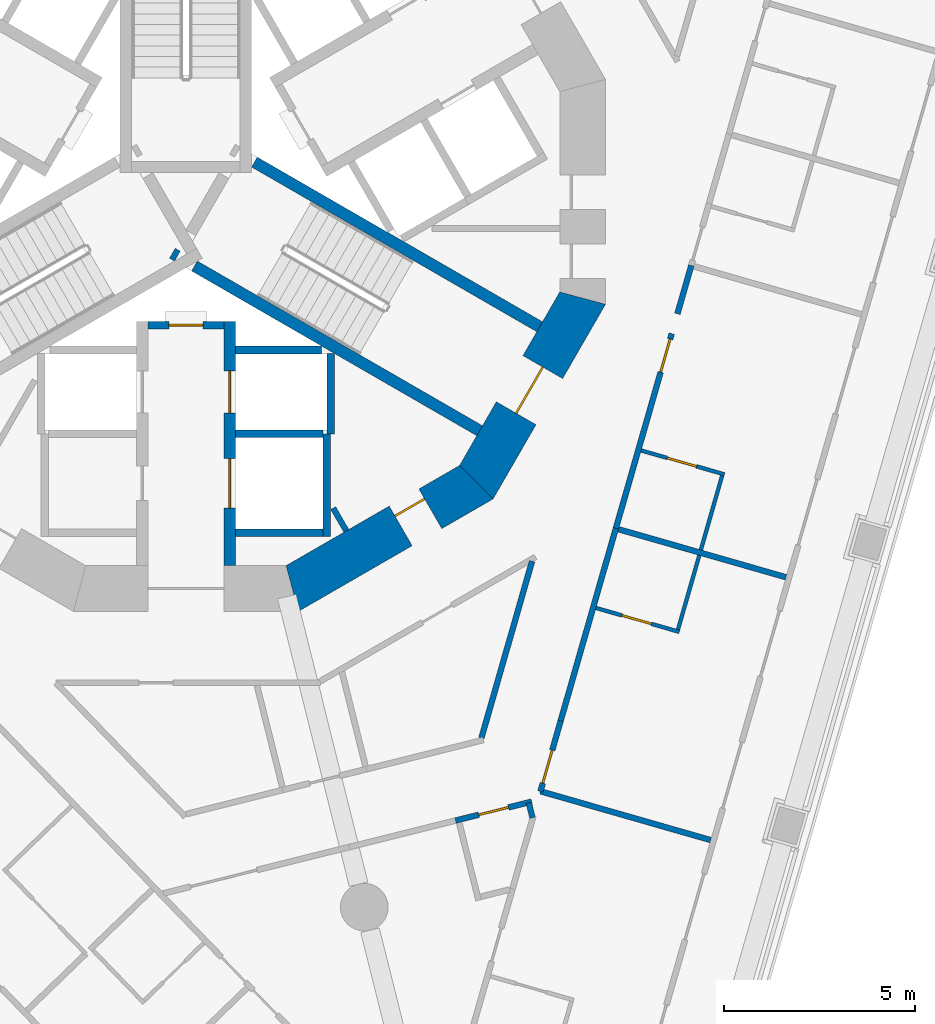
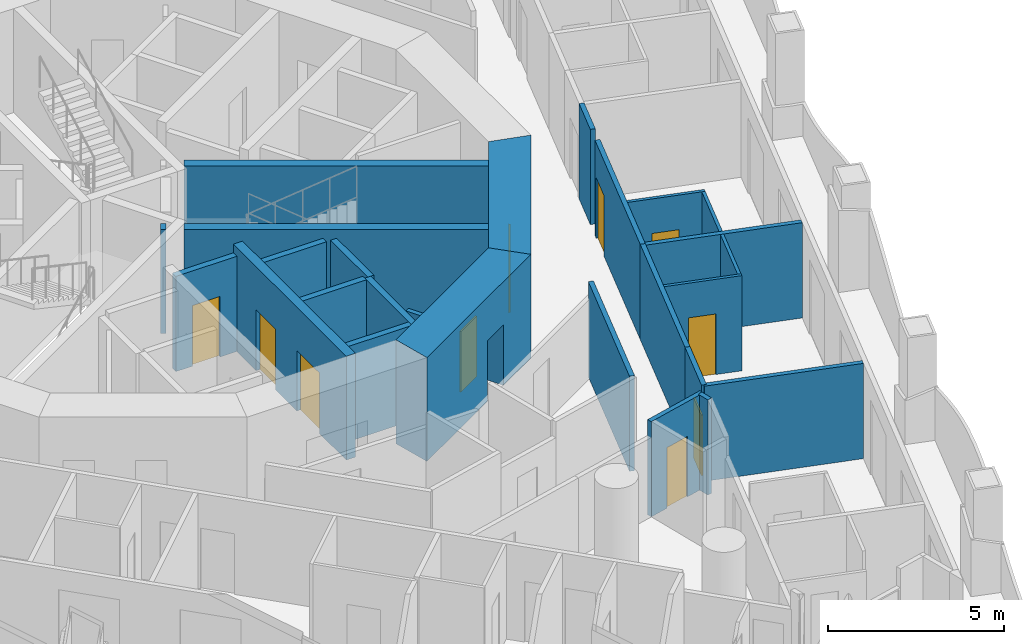
# One storey, part 5 of 20: 26 walls, 10 doors, 10 openings.
"""IFC4 building model written with IfcOpenShell, lengths in metres."""

from ifc_helpers import new_model, si_unit, direction, frame, frame_2d, origin, place, context, subcontext, project, spatial, polyline, rectangle, outline, extrude, material, layer, layer_set, type_object, element, fill, save


model = new_model("IFC4")

# Units and contexts
model_context = context("Model", 3, precision=1e-05, world=origin(), true_north=direction((0.0, 1.0)))
body_context = subcontext(model_context, "Body", "Model", "MODEL_VIEW")
ifc_project = project(units=[si_unit("LENGTHUNIT", "METRE"), si_unit("AREAUNIT", "SQUARE_METRE"), si_unit("VOLUMEUNIT", "CUBIC_METRE"), si_unit("PLANEANGLEUNIT", "RADIAN"), si_unit("MASSUNIT", "GRAM", prefix="KILO")], contexts=[model_context])

# Site, building, storey
site_placement = place(None, origin())
site = spatial("IfcSite", under=ifc_project, at=site_placement, CompositionType="ELEMENT")
building_placement = place(site_placement, origin())
building = spatial("IfcBuilding", under=site, at=building_placement, Name="Trine Commons Tower", CompositionType="ELEMENT")
storey_placement = place(building_placement, frame((0.0, 0.0, 112.5)))
storey = spatial("IfcBuildingStorey", under=building, at=storey_placement, Name="L28", CompositionType="ELEMENT", Elevation=112.5)

# Wall
ifc_material_1 = material(Name="Plasterboard partition on steel studs", Category="steel")
ifc_layer_1 = layer(ifc_material_1, 0.14990234375)
ifc_layer_set_1 = layer_set([ifc_layer_1], Name="Plasterboard partition on steel studs")
wall_type_1 = type_object("IfcWallType", Name="Core room partition 150 mm, EI 60", PredefinedType="PARTITIONING", material=ifc_layer_set_1)
wall_1_placement = place(storey_placement, frame((84.2099609375, 53.60205078125, 0.0), z_axis=(0.0, 0.0, 1.0), x_axis=(-0.500366091518, 0.865813937552, 0.0)))
element("IfcWall", 1, at=wall_1_placement, inside=storey, type_object=wall_type_1, Name="Core room partition L28", PredefinedType="PARTITIONING", context=body_context, shape_type="SweptSolid", body=[
    extrude(rectangle(XDim=0.689453125, YDim=0.14990234375, at=frame_2d((0.3447265625, 0.0))), origin(), (0.0, 0.0, 1.0), 3.300048828125),
])

# Wall, opening, door
ifc_material_2 = material(Name="Fire-rated gypsum shaft wall system")
ifc_layer_2 = layer(ifc_material_2, 0.199951171875)
ifc_layer_set_2 = layer_set([ifc_layer_2], Name="Fire-rated gypsum shaft wall system")
wall_type_2 = type_object("IfcWallType", Name="Lobby end wall 200 mm, EI 120", PredefinedType="PARTITIONING", material=ifc_layer_set_2)
wall_2_placement = place(storey_placement, frame((79.0, 59.0, 0.0), z_axis=(0.0, 0.0, 1.0), x_axis=(1.0, 0.0, 0.0)))
wall_2 = element("IfcWall", 2, at=wall_2_placement, inside=storey, type_object=wall_type_2, Name="Lobby end wall L28", PredefinedType="PARTITIONING", context=body_context, shape_type="SweptSolid", body=[
    extrude(rectangle(XDim=2.0, YDim=0.199951171875, at=frame_2d((1.0, 0.0))), origin(), (0.0, 0.0, 1.0), 3.300048828125),
])
opening_1_placement = place(wall_2_placement, frame((0.550048828125, 0.0, 0.0)))
opening_1 = element("IfcOpeningElement", 3, at=opening_1_placement, cuts=wall_2, Name="Opening K07.09", PredefinedType="OPENING", context=body_context, shape_type="SweptSolid", body=[
    extrude(rectangle(XDim=0.89990234375, YDim=2.10009765625, at=frame_2d((0.449951171875, 1.050048828125))), frame((0.0, 0.10986328125, 0.0), z_axis=(0.0, -1.0, 0.0), x_axis=(1.0, 0.0, 0.0)), (0.0, 0.0, 1.0), 0.219970703125),
])
ifc_material_3 = material(Name="Steel door leaf, fire-rated", Category="steel")
door_type_1 = type_object("IfcDoorType", Name="Riser access door, single leaf 900 x 2100, FD60", OperationType="SINGLE_SWING_LEFT", PredefinedType="DOOR", material=ifc_material_3)
door_1_placement = place(opening_1_placement, frame((0.89990234375, 0.0, 0.0), z_axis=(0.0, 0.0, 1.0), x_axis=(-1.0, 0.0, 0.0)))
door_1 = element("IfcDoor", 4, at=door_1_placement, inside=storey, type_object=door_type_1, Name="Riser door, Communications riser L28", OperationType="SINGLE_SWING_RIGHT", OverallHeight=2.10009765625, OverallWidth=0.89990234375, PredefinedType="DOOR", context=body_context, shape_type="SweptSolid", body=[
    extrude(rectangle(XDim=0.89990234375, YDim=2.10009765625, at=frame_2d((0.449951171875, 1.050048828125))), frame((0.0, 0.02490234375, 0.0), z_axis=(0.0, -1.0, 0.0), x_axis=(1.0, 0.0, 0.0)), (0.0, 0.0, 1.0), 0.050048828125),
])
fill(opening_1, door_1)

ifc_material_4 = material(Name="Concrete C70/85", Category="concrete")
ifc_layer_3 = layer(ifc_material_4, 1.199951171875)
ifc_layer_set_3 = layer_set([ifc_layer_3], Name="Concrete C70/85")
wall_type_3 = type_object("IfcWallType", Name="RC shear wall 1200 mm, C70/85", PredefinedType="SHEAR", material=ifc_layer_set_3)
wall_3_placement = place(storey_placement, frame((82.650390625, 52.008056640625, 0.0), z_axis=(0.0, 0.0, 1.0), x_axis=(0.866037463336, 0.499979111662, 0.0)))
wall_3 = element("IfcWall", 5, at=wall_3_placement, inside=storey, type_object=wall_type_3, Name="Core wall CWC-11 L28", PredefinedType="SHEAR", context=body_context, shape_type="SweptSolid", body=[
    extrude(outline(polyline([(0.0, -0.60009765625), (5.901123046875, -0.60009765625), (5.57958984375, 0.60009765625), (0.321533203125, 0.60009765625), (0.0, -0.60009765625)])), origin(), (0.0, 0.0, 1.0), 3.60009765625),
])
opening_2_placement = place(wall_3_placement, frame((3.44677734375, 0.0, 0.0)))
opening_2 = element("IfcOpeningElement", 6, at=opening_2_placement, cuts=wall_3, Name="Opening K07.17", PredefinedType="OPENING", context=body_context, shape_type="SweptSolid", body=[
    extrude(rectangle(XDim=0.89990234375, YDim=2.10009765625, at=frame_2d((0.449951171875, 1.050048828125))), frame((0.0, 0.60986328125, 0.0), z_axis=(0.0, -1.0, 0.0), x_axis=(1.0, 0.0, 0.0)), (0.0, 0.0, 1.0), 1.219970703125),
])
door_type_2 = type_object("IfcDoorType", Name="Core room door, single leaf 900 x 2100, FD30S", OperationType="SINGLE_SWING_LEFT", PredefinedType="DOOR", material=ifc_material_3)
door_2_placement = place(opening_2_placement, origin())
door_2 = element("IfcDoor", 7, at=door_2_placement, inside=storey, type_object=door_type_2, Name="Door to Pantry L28", OperationType="SINGLE_SWING_RIGHT", OverallHeight=2.10009765625, OverallWidth=0.89990234375, PredefinedType="DOOR", context=body_context, shape_type="SweptSolid", body=[
    extrude(rectangle(XDim=0.89990234375, YDim=2.10009765625, at=frame_2d((0.449951171875, 1.050048828125))), frame((0.0, 0.3251953125, 0.0), z_axis=(0.0, -1.0, 0.0), x_axis=(1.0, 0.0, 0.0)), (0.0, 0.0, 1.0), 0.050048828125),
])
fill(opening_2, door_2)

wall_4_placement = place(storey_placement, frame((87.54150390625, 54.739013671875, 0.0), z_axis=(0.0, 0.0, 1.0), x_axis=(0.499979111662, 0.866037463336, 0.0)))
wall_4 = element("IfcWall", 8, at=wall_4_placement, inside=storey, type_object=wall_type_3, Name="Core wall CWC-12 L28", PredefinedType="SHEAR", context=body_context, shape_type="SweptSolid", body=[
    extrude(outline(polyline([(0.0, -0.60009765625), (5.901123046875, -0.60009765625), (5.57958984375, 0.60009765625), (0.321533203125, 0.60009765625), (0.0, -0.60009765625)])), origin(), (0.0, 0.0, 1.0), 3.60009765625),
])
opening_3_placement = place(wall_4_placement, frame((2.25048828125, 0.0, 0.0)))
opening_3 = element("IfcOpeningElement", 9, at=opening_3_placement, cuts=wall_4, Name="Opening K07.03", PredefinedType="OPENING", context=body_context, shape_type="SweptSolid", body=[
    extrude(rectangle(XDim=1.39990234375, YDim=2.10009765625, at=frame_2d((0.699951171875, 1.050048828125))), frame((0.0, 0.60986328125, 0.0), z_axis=(0.0, -1.0, 0.0), x_axis=(1.0, 0.0, 0.0)), (0.0, 0.0, 1.0), 1.219970703125),
])
ifc_material_5 = material(Name="Steel door leaves, fire-rated", Category="steel")
door_type_3 = type_object("IfcDoorType", Name="Stair door, double leaf 1400 x 2100, FD90", OperationType="DOUBLE_DOOR_SINGLE_SWING", PredefinedType="DOOR", material=ifc_material_5)
door_3_placement = place(opening_3_placement, origin())
door_3 = element("IfcDoor", 10, at=door_3_placement, inside=storey, type_object=door_type_3, Name="Stair door to Exit stair ST3A L28", OperationType="DOUBLE_DOOR_SINGLE_SWING", OverallHeight=2.10009765625, OverallWidth=1.39990234375, PredefinedType="DOOR", context=body_context, shape_type="SweptSolid", body=[
    extrude(rectangle(XDim=1.39990234375, YDim=2.10009765625, at=frame_2d((0.699951171875, 1.050048828125))), frame((0.0, 0.02490234375, 0.0), z_axis=(0.0, -1.0, 0.0), x_axis=(1.0, 0.0, 0.0)), (0.0, 0.0, 1.0), 0.050048828125),
])
fill(opening_3, door_3)

# Wall, openings, doors
ifc_layer_4 = layer(ifc_material_4, 0.300048828125)
ifc_layer_set_4 = layer_set([ifc_layer_4], Name="Concrete C70/85")
wall_type_4 = type_object("IfcWallType", Name="RC shear wall 300 mm, C70/85", PredefinedType="SHEAR", material=ifc_layer_set_4)
wall_5_placement = place(storey_placement, frame((81.14990234375, 59.10009765625, 0.0), z_axis=(0.0, 0.0, 1.0), x_axis=(0.0, -1.0, 0.0)))
wall_5 = element("IfcWall", 11, at=wall_5_placement, inside=storey, type_object=wall_type_4, Name="Core cross wall SWA-04 L28", PredefinedType="SHEAR", context=body_context, shape_type="SweptSolid", body=[
    extrude(rectangle(XDim=6.412109375, YDim=0.300048828125, at=frame_2d((3.2060546875, 0.0))), origin(), (0.0, 0.0, 1.0), 3.60009765625),
])
opening_4_placement = place(wall_5_placement, frame((3.60009765625, 0.0, 0.0)))
opening_4 = element("IfcOpeningElement", 12, at=opening_4_placement, cuts=wall_5, Name="Opening LD11", PredefinedType="OPENING", context=body_context, shape_type="SweptSolid", body=[
    extrude(rectangle(XDim=1.300048828125, YDim=2.10009765625, at=frame_2d((0.64990234375, 1.050048828125))), frame((0.0, 0.159912109375, 0.0), z_axis=(0.0, -1.0, 0.0), x_axis=(1.0, 0.0, 0.0)), (0.0, 0.0, 1.0), 0.320068359375),
])
opening_5_placement = place(wall_5_placement, frame((1.300048828125, 0.0, 0.0)))
opening_5 = element("IfcOpeningElement", 13, at=opening_5_placement, cuts=wall_5, Name="Opening LD9", PredefinedType="OPENING", context=body_context, shape_type="SweptSolid", body=[
    extrude(rectangle(XDim=1.10009765625, YDim=2.10009765625, at=frame_2d((0.550048828125, 1.050048828125))), frame((0.0, 0.159912109375, 0.0), z_axis=(0.0, -1.0, 0.0), x_axis=(1.0, 0.0, 0.0)), (0.0, 0.0, 1.0), 0.320068359375),
])
ifc_material_6 = material(Name="Stainless steel sliding door leaves", Category="steel")
door_type_4 = type_object("IfcDoorType", Name="Lift landing door, centre-opening sliding 1100 x 2100, FD90", OperationType="DOUBLE_DOOR_SLIDING", PredefinedType="DOOR", material=ifc_material_6)
door_4_placement = place(opening_5_placement, origin())
door_4 = element("IfcDoor", 14, at=door_4_placement, inside=storey, type_object=door_type_4, Name="Lift landing door FF1 L28", OperationType="DOUBLE_DOOR_SLIDING", OverallHeight=2.10009765625, OverallWidth=1.10009765625, PredefinedType="DOOR", context=body_context, shape_type="SweptSolid", body=[
    extrude(rectangle(XDim=1.10009765625, YDim=2.10009765625, at=frame_2d((0.550048828125, 1.050048828125))), frame((0.0, 0.02490234375, 0.0), z_axis=(0.0, -1.0, 0.0), x_axis=(1.0, 0.0, 0.0)), (0.0, 0.0, 1.0), 0.050048828125),
])
fill(opening_5, door_4)
door_type_5 = type_object("IfcDoorType", Name="Lift landing door, centre-opening sliding 1300 x 2100, FD90", OperationType="DOUBLE_DOOR_SLIDING", PredefinedType="DOOR", material=ifc_material_6)
door_5_placement = place(opening_4_placement, origin())
door_5 = element("IfcDoor", 15, at=door_5_placement, inside=storey, type_object=door_type_5, Name="Lift landing door G1 L28", OperationType="DOUBLE_DOOR_SLIDING", OverallHeight=2.10009765625, OverallWidth=1.300048828125, PredefinedType="DOOR", context=body_context, shape_type="SweptSolid", body=[
    extrude(rectangle(XDim=1.300048828125, YDim=2.10009765625, at=frame_2d((0.64990234375, 1.050048828125))), frame((0.0, 0.02490234375, 0.0), z_axis=(0.0, -1.0, 0.0), x_axis=(1.0, 0.0, 0.0)), (0.0, 0.0, 1.0), 0.050048828125),
])
fill(opening_4, door_5)

# Walls
wall_6_placement = place(storey_placement, frame((79.64599609375, 60.885986328125, 0.0), z_axis=(0.0, 0.0, 1.0), x_axis=(0.867331893649, -0.497730234424, 0.0)))
element("IfcWall", 16, at=wall_6_placement, inside=storey, type_object=wall_type_4, Name="Core cross wall SWA-11 L28", PredefinedType="SHEAR", context=body_context, shape_type="SweptSolid", body=[
    extrude(rectangle(XDim=0.148681640625, YDim=0.300048828125, at=frame_2d((0.07421875, 0.0))), origin(), (0.0, 0.0, 1.0), 3.60009765625),
])
for number, where, z_axis, x_axis, name in (
    (17, (80.22509765625, 60.552001953125, 0.0), (0.0, 0.0, 1.0), (0.865965399159, -0.500103916661, 0.0), "Core cross wall SWA-13 L28"),
    (18, (81.800048828125, 63.280029296875, 0.0), (0.0, 0.0, 1.0), (0.865965399159, -0.500103916661, 0.0), "Core cross wall SWA-18 L28"),
):
    element("IfcWall", number, at=place(storey_placement, frame(where, z_axis=z_axis, x_axis=x_axis)), inside=storey, type_object=wall_type_4, Name=name, PredefinedType="SHEAR", context=body_context, shape_type="SweptSolid", body=[
        extrude(rectangle(XDim=8.642333984375, YDim=0.300048828125, at=frame_2d((4.3212890625, 0.0))), origin(), (0.0, 0.0, 1.0), 3.60009765625),
    ])
ifc_layer_5 = layer(ifc_material_2, 0.199951171875)
ifc_layer_set_5 = layer_set([ifc_layer_5], Name="Fire-rated gypsum shaft wall system")
wall_type_5 = type_object("IfcWallType", Name="Shaft wall 200 mm, EI 120", PredefinedType="PARTITIONING", material=ifc_layer_set_5)
for number, where, z_axis, x_axis, name in (
    (19, (81.300048828125, 53.550048828125, 0.0), (0.0, 0.0, 1.0), (1.0, 0.0, 0.0), "Shaft wall L28"),
    (20, (81.300048828125, 56.14990234375, 0.0), (0.0, 0.0, 1.0), (1.0, 0.0, 0.0), "Shaft wall L28"),
):
    element("IfcWall", number, at=place(storey_placement, frame(where, z_axis=z_axis, x_axis=x_axis)), inside=storey, type_object=wall_type_5, Name=name, PredefinedType="PARTITIONING", context=body_context, shape_type="SweptSolid", body=[
        extrude(rectangle(XDim=2.300048828125, YDim=0.199951171875, at=frame_2d((1.14990234375, 0.0))), origin(), (0.0, 0.0, 1.0), 3.300048828125),
    ])
wall_7_placement = place(storey_placement, frame((81.300048828125, 58.35009765625, 0.0), z_axis=(0.0, 0.0, 1.0), x_axis=(1.0, 0.0, 0.0)))
element("IfcWall", 21, at=wall_7_placement, inside=storey, type_object=wall_type_5, Name="Shaft wall L28", PredefinedType="PARTITIONING", context=body_context, shape_type="SweptSolid", body=[
    extrude(rectangle(XDim=2.264892578125, YDim=0.199951171875, at=frame_2d((1.13232421875, 0.0))), origin(), (0.0, 0.0, 1.0), 3.300048828125),
])
wall_8_placement = place(storey_placement, frame((83.699951171875, 56.14990234375, 0.0), z_axis=(0.0, 0.0, 1.0), x_axis=(0.0, -1.0, 0.0)))
element("IfcWall", 22, at=wall_8_placement, inside=storey, type_object=wall_type_5, Name="Shaft wall L28", PredefinedType="PARTITIONING", context=body_context, shape_type="SweptSolid", body=[
    extrude(rectangle(XDim=2.699951171875, YDim=0.199951171875, at=frame_2d((1.35009765625, 0.0))), origin(), (0.0, 0.0, 1.0), 3.300048828125),
])
wall_9_placement = place(storey_placement, frame((83.800048828125, 58.256103515625, 0.0), z_axis=(0.0, 0.0, 1.0), x_axis=(0.0, -1.0, 0.0)))
element("IfcWall", 23, at=wall_9_placement, inside=storey, type_object=wall_type_5, Name="Shaft wall L28", PredefinedType="PARTITIONING", context=body_context, shape_type="SweptSolid", body=[
    extrude(rectangle(XDim=2.106201171875, YDim=0.199951171875, at=frame_2d((1.05322265625, 0.0))), origin(), (0.0, 0.0, 1.0), 3.300048828125),
])

# Wall, opening, door
ifc_material_7 = material(Name="Gypsum plasterboard on steel stud", Category="steel")
ifc_layer_6 = layer(ifc_material_7, 0.14990234375)
ifc_layer_set_6 = layer_set([ifc_layer_6], Name="Gypsum plasterboard on steel stud")
wall_type_6 = type_object("IfcWallType", Name="Unit and corridor wall 150 mm, EI 60", PredefinedType="PARTITIONING", material=ifc_layer_set_6)
wall_10_placement = place(storey_placement, frame((87.076171875, 45.998779296875, 0.0), z_axis=(0.0, 0.0, 1.0), x_axis=(0.970351527821, 0.241697977766, 0.0)))
wall_10 = element("IfcWall", 24, at=wall_10_placement, inside=storey, type_object=wall_type_6, Name="Partition 098", PredefinedType="PARTITIONING", context=body_context, shape_type="SweptSolid", body=[
    extrude(rectangle(XDim=2.0576171875, YDim=0.14990234375, at=frame_2d((1.02880859375, 0.0))), origin(), (0.0, 0.0, 1.0), 3.300048828125),
])
opening_6_placement = place(wall_10_placement, frame((0.62890625, 0.0, 0.0)))
opening_6 = element("IfcOpeningElement", 25, at=opening_6_placement, cuts=wall_10, Name="Opening D-3C05", PredefinedType="OPENING", context=body_context, shape_type="SweptSolid", body=[
    extrude(rectangle(XDim=0.800048828125, YDim=2.10009765625, at=frame_2d((0.39990234375, 1.050048828125))), frame((0.0, 0.0849609375, 0.0), z_axis=(0.0, -1.0, 0.0), x_axis=(1.0, 0.0, 0.0)), (0.0, 0.0, 1.0), 0.169921875),
])
ifc_material_8 = material(Name="Painted timber", Category="wood")
door_type_6 = type_object("IfcDoorType", Name="Toilet door 800 x 2100, NOT RATED", OperationType="NOTDEFINED", PredefinedType="DOOR", material=ifc_material_8)
door_6_placement = place(opening_6_placement, frame((0.800048828125, 0.0, 0.0), z_axis=(0.0, 0.0, 1.0), x_axis=(-1.0, 0.0, 0.0)))
door_6 = element("IfcDoor", 26, at=door_6_placement, inside=storey, type_object=door_type_6, Name="Door D-3C05", OperationType="SINGLE_SWING_LEFT", OverallHeight=2.10009765625, OverallWidth=0.800048828125, PredefinedType="DOOR", context=body_context, shape_type="SweptSolid", body=[
    extrude(rectangle(XDim=0.800048828125, YDim=2.10009765625, at=frame_2d((0.39990234375, 1.050048828125))), frame((0.0, 0.02490234375, 0.0), z_axis=(0.0, -1.0, 0.0), x_axis=(1.0, 0.0, 0.0)), (0.0, 0.0, 1.0), 0.050048828125),
])
fill(opening_6, door_6)

# Walls
wall_11_placement = place(storey_placement, frame((87.755615234375, 48.168212890625, 0.0), z_axis=(0.0, 0.0, 1.0), x_axis=(0.275589878427, 0.961275308592, 0.0)))
element("IfcWall", 27, at=wall_11_placement, inside=storey, type_object=wall_type_6, Name="Partition 102", PredefinedType="PARTITIONING", context=body_context, shape_type="SweptSolid", body=[
    extrude(rectangle(XDim=4.824462890625, YDim=0.14990234375, at=frame_2d((2.412109375, 0.0))), origin(), (0.0, 0.0, 1.0), 3.300048828125),
])
wall_12_placement = place(storey_placement, frame((89.0, 46.461669921875, 0.0), z_axis=(0.0, 0.0, 1.0), x_axis=(0.242248462582, -0.970214245606, 0.0)))
element("IfcWall", 28, at=wall_12_placement, inside=storey, type_object=wall_type_6, Name="Partition 108", PredefinedType="PARTITIONING", context=body_context, shape_type="SweptSolid", body=[
    extrude(rectangle(XDim=0.400146484375, YDim=0.14990234375, at=frame_2d((0.2001953125, 0.0))), origin(), (0.0, 0.0, 1.0), 3.300048828125),
])

# Wall, opening, door
wall_13_placement = place(storey_placement, frame((89.303955078125, 46.762939453125, 0.0), z_axis=(0.0, 0.0, 1.0), x_axis=(0.275539388994, 0.96128978207, 0.0)))
wall_13 = element("IfcWall", 29, at=wall_13_placement, inside=storey, type_object=wall_type_6, Name="Partition 110", PredefinedType="PARTITIONING", context=body_context, shape_type="SweptSolid", body=[
    extrude(rectangle(XDim=1.9306640625, YDim=0.14990234375, at=frame_2d((0.96533203125, 0.0))), origin(), (0.0, 0.0, 1.0), 3.300048828125),
])
opening_7_placement = place(wall_13_placement, frame((0.226806640625, 0.0, 0.0)))
opening_7 = element("IfcOpeningElement", 30, at=opening_7_placement, cuts=wall_13, Name="Opening D-3C22", PredefinedType="OPENING", context=body_context, shape_type="SweptSolid", body=[
    extrude(rectangle(XDim=0.89990234375, YDim=2.10009765625, at=frame_2d((0.449951171875, 1.050048828125))), frame((0.0, 0.0849609375, 0.0), z_axis=(0.0, -1.0, 0.0), x_axis=(1.0, 0.0, 0.0)), (0.0, 0.0, 1.0), 0.169921875),
])
ifc_material_9 = material(Name="Timber fire door set", Category="wood")
door_type_7 = type_object("IfcDoorType", Name="Bedroom door 900 x 2100, FD30S", OperationType="NOTDEFINED", PredefinedType="DOOR", material=ifc_material_9)
door_7_placement = place(opening_7_placement, frame((0.89990234375, 0.0, 0.0), z_axis=(0.0, 0.0, 1.0), x_axis=(-1.0, 0.0, 0.0)))
door_7 = element("IfcDoor", 31, at=door_7_placement, inside=storey, type_object=door_type_7, Name="Door D-3C22", OperationType="SINGLE_SWING_RIGHT", OverallHeight=2.10009765625, OverallWidth=0.89990234375, PredefinedType="DOOR", context=body_context, shape_type="SweptSolid", body=[
    extrude(rectangle(XDim=0.89990234375, YDim=2.10009765625, at=frame_2d((0.449951171875, 1.050048828125))), frame((0.0, 0.02490234375, 0.0), z_axis=(0.0, -1.0, 0.0), x_axis=(1.0, 0.0, 0.0)), (0.0, 0.0, 1.0), 0.050048828125),
])
fill(opening_7, door_7)

# Walls
wall_14_placement = place(storey_placement, frame((89.304931640625, 46.76708984375, 0.0), z_axis=(0.0, 0.0, 1.0), x_axis=(0.961263836782, -0.275629889699, 0.0)))
element("IfcWall", 32, at=wall_14_placement, inside=storey, type_object=wall_type_6, Name="Partition 111", PredefinedType="PARTITIONING", context=body_context, shape_type="SweptSolid", body=[
    extrude(rectangle(XDim=4.6474609375, YDim=0.14990234375, at=frame_2d((2.32373046875, 0.0))), origin(), (0.0, 0.0, 1.0), 3.300048828125),
])
wall_15_placement = place(storey_placement, frame((89.8359375, 48.618896484375, 0.0), z_axis=(0.0, 0.0, 1.0), x_axis=(0.275623258098, 0.961265738282, 0.0)))
element("IfcWall", 33, at=wall_15_placement, inside=storey, type_object=wall_type_6, Name="Partition 117", PredefinedType="PARTITIONING", context=body_context, shape_type="SweptSolid", body=[
    extrude(rectangle(XDim=5.253662109375, YDim=0.14990234375, at=frame_2d((2.626953125, 0.0))), origin(), (0.0, 0.0, 1.0), 3.300048828125),
])

# Wall, opening, door
wall_16_placement = place(storey_placement, frame((91.26123046875, 53.5888671875, 0.0), z_axis=(0.0, 0.0, 1.0), x_axis=(0.275652979744, 0.961257215712, 0.0)))
wall_16 = element("IfcWall", 34, at=wall_16_placement, inside=storey, type_object=wall_type_6, Name="Partition 121", PredefinedType="PARTITIONING", context=body_context, shape_type="SweptSolid", body=[
    extrude(rectangle(XDim=5.3974609375, YDim=0.14990234375, at=frame_2d((2.69873046875, 0.0))), origin(), (0.0, 0.0, 1.0), 3.300048828125),
])
opening_8_placement = place(wall_16_placement, frame((4.34716796875, 0.0, 0.0)))
opening_8 = element("IfcOpeningElement", 35, at=opening_8_placement, cuts=wall_16, Name="Opening D-3C21", PredefinedType="OPENING", context=body_context, shape_type="SweptSolid", body=[
    extrude(rectangle(XDim=0.89990234375, YDim=2.10009765625, at=frame_2d((0.449951171875, 1.050048828125))), frame((0.0, 0.0849609375, 0.0), z_axis=(0.0, -1.0, 0.0), x_axis=(1.0, 0.0, 0.0)), (0.0, 0.0, 1.0), 0.169921875),
])
door_8_placement = place(opening_8_placement, frame((0.89990234375, 0.0, 0.0), z_axis=(0.0, 0.0, 1.0), x_axis=(-1.0, 0.0, 0.0)))
door_8 = element("IfcDoor", 36, at=door_8_placement, inside=storey, type_object=door_type_7, Name="Door D-3C21", OperationType="SINGLE_SWING_LEFT", OverallHeight=2.10009765625, OverallWidth=0.89990234375, PredefinedType="DOOR", context=body_context, shape_type="SweptSolid", body=[
    extrude(rectangle(XDim=0.89990234375, YDim=2.10009765625, at=frame_2d((0.449951171875, 1.050048828125))), frame((0.0, 0.02490234375, 0.0), z_axis=(0.0, -1.0, 0.0), x_axis=(1.0, 0.0, 0.0)), (0.0, 0.0, 1.0), 0.050048828125),
])
fill(opening_8, door_8)

# Walls
wall_17_placement = place(storey_placement, frame((91.35498046875, 53.644287109375, 0.0), z_axis=(0.0, 0.0, 1.0), x_axis=(0.961269673231, -0.275609534171, 0.0)))
element("IfcWall", 37, at=wall_17_placement, inside=storey, type_object=wall_type_6, Name="Partition 122", PredefinedType="PARTITIONING", context=body_context, shape_type="SweptSolid", body=[
    extrude(rectangle(XDim=4.572509765625, YDim=0.14990234375, at=frame_2d((2.2861328125, 0.0))), origin(), (0.0, 0.0, 1.0), 3.300048828125),
])
wall_18_placement = place(storey_placement, frame((92.89892578125, 59.299072265625, 0.0), z_axis=(0.0, 0.0, 1.0), x_axis=(0.275722362281, 0.961237316659, 0.0)))
element("IfcWall", 38, at=wall_18_placement, inside=storey, type_object=wall_type_6, Name="Partition 128", PredefinedType="PARTITIONING", context=body_context, shape_type="SweptSolid", body=[
    extrude(rectangle(XDim=1.3203125, YDim=0.14990234375, at=frame_2d((0.66015625, 0.0))), origin(), (0.0, 0.0, 1.0), 3.300048828125),
])

# Wall, opening, door
ifc_layer_7 = layer(ifc_material_7, 0.10009765625)
ifc_layer_set_7 = layer_set([ifc_layer_7], Name="Gypsum plasterboard on steel stud")
wall_type_7 = type_object("IfcWallType", Name="Unit partition 100 mm, no rating", PredefinedType="PARTITIONING", material=ifc_layer_set_7)
wall_19_placement = place(storey_placement, frame((90.76220703125, 51.578369140625, 0.0), z_axis=(0.0, 0.0, 1.0), x_axis=(0.961252175385, -0.275670555767, 0.0)))
wall_19 = element("IfcWall", 39, at=wall_19_placement, inside=storey, type_object=wall_type_7, Name="Partition 119", PredefinedType="PARTITIONING", context=body_context, shape_type="SweptSolid", body=[
    extrude(rectangle(XDim=2.275146484375, YDim=0.10009765625, at=frame_2d((1.1376953125, 0.0))), origin(), (0.0, 0.0, 1.0), 3.300048828125),
])
opening_9_placement = place(wall_19_placement, frame((0.71240234375, 0.0, 0.0)))
opening_9 = element("IfcOpeningElement", 40, at=opening_9_placement, cuts=wall_19, Name="Opening D-3C57", PredefinedType="OPENING", context=body_context, shape_type="SweptSolid", body=[
    extrude(rectangle(XDim=0.800048828125, YDim=2.10009765625, at=frame_2d((0.39990234375, 1.050048828125))), frame((0.0, 0.06005859375, 0.0), z_axis=(0.0, -1.0, 0.0), x_axis=(1.0, 0.0, 0.0)), (0.0, 0.0, 1.0), 0.1201171875),
])
door_type_8 = type_object("IfcDoorType", Name="Internal door 800 x 2100, NOT RATED", OperationType="NOTDEFINED", PredefinedType="DOOR", material=ifc_material_8)
door_9_placement = place(opening_9_placement, frame((0.800048828125, 0.0, 0.0), z_axis=(0.0, 0.0, 1.0), x_axis=(-1.0, 0.0, 0.0)))
door_9 = element("IfcDoor", 41, at=door_9_placement, inside=storey, type_object=door_type_8, Name="Door D-3C57", OperationType="SINGLE_SWING_RIGHT", OverallHeight=2.10009765625, OverallWidth=0.800048828125, PredefinedType="DOOR", context=body_context, shape_type="SweptSolid", body=[
    extrude(rectangle(XDim=0.800048828125, YDim=2.10009765625, at=frame_2d((0.39990234375, 1.050048828125))), frame((0.0, 0.02490234375, 0.0), z_axis=(0.0, -1.0, 0.0), x_axis=(1.0, 0.0, 0.0)), (0.0, 0.0, 1.0), 0.050048828125),
])
fill(opening_9, door_9)

wall_20_placement = place(storey_placement, frame((91.947998046875, 55.711181640625, 0.0), z_axis=(0.0, 0.0, 1.0), x_axis=(0.961247989745, -0.27568515051, 0.0)))
wall_20 = element("IfcWall", 42, at=wall_20_placement, inside=storey, type_object=wall_type_7, Name="Partition 125", PredefinedType="PARTITIONING", context=body_context, shape_type="SweptSolid", body=[
    extrude(rectangle(XDim=2.274169921875, YDim=0.10009765625, at=frame_2d((1.13720703125, 0.0))), origin(), (0.0, 0.0, 1.0), 3.300048828125),
])
opening_10_placement = place(wall_20_placement, frame((0.7119140625, 0.0, 0.0)))
opening_10 = element("IfcOpeningElement", 43, at=opening_10_placement, cuts=wall_20, Name="Opening D-3C56", PredefinedType="OPENING", context=body_context, shape_type="SweptSolid", body=[
    extrude(rectangle(XDim=0.800048828125, YDim=2.10009765625, at=frame_2d((0.39990234375, 1.050048828125))), frame((0.0, 0.06005859375, 0.0), z_axis=(0.0, -1.0, 0.0), x_axis=(1.0, 0.0, 0.0)), (0.0, 0.0, 1.0), 0.1201171875),
])
door_10_placement = place(opening_10_placement, origin())
door_10 = element("IfcDoor", 44, at=door_10_placement, inside=storey, type_object=door_type_8, Name="Door D-3C56", OperationType="SINGLE_SWING_LEFT", OverallHeight=2.10009765625, OverallWidth=0.800048828125, PredefinedType="DOOR", context=body_context, shape_type="SweptSolid", body=[
    extrude(rectangle(XDim=0.800048828125, YDim=2.10009765625, at=frame_2d((0.39990234375, 1.050048828125))), frame((0.0, 0.02490234375, 0.0), z_axis=(0.0, -1.0, 0.0), x_axis=(1.0, 0.0, 0.0)), (0.0, 0.0, 1.0), 0.050048828125),
])
fill(opening_10, door_10)

# Walls
wall_21_placement = place(storey_placement, frame((92.914794921875, 51.01318359375, 0.0), z_axis=(0.0, 0.0, 1.0), x_axis=(0.275931455218, 0.961177315599, 0.0)))
element("IfcWall", 45, at=wall_21_placement, inside=storey, type_object=wall_type_7, Name="Partition 129", PredefinedType="PARTITIONING", context=body_context, shape_type="SweptSolid", body=[
    extrude(rectangle(XDim=2.0244140625, YDim=0.10009765625, at=frame_2d((1.01220703125, 0.0))), origin(), (0.0, 0.0, 1.0), 3.300048828125),
])
wall_22_placement = place(storey_placement, frame((93.5146484375, 53.10302734375, 0.0), z_axis=(0.0, 0.0, 1.0), x_axis=(0.275357985943, 0.96134176003, 0.0)))
element("IfcWall", 46, at=wall_22_placement, inside=storey, type_object=wall_type_7, Name="Partition 134", PredefinedType="PARTITIONING", context=body_context, shape_type="SweptSolid", body=[
    extrude(rectangle(XDim=2.025146484375, YDim=0.10009765625, at=frame_2d((1.0126953125, 0.0))), origin(), (0.0, 0.0, 1.0), 3.300048828125),
])

save(model, "model.ifc")
